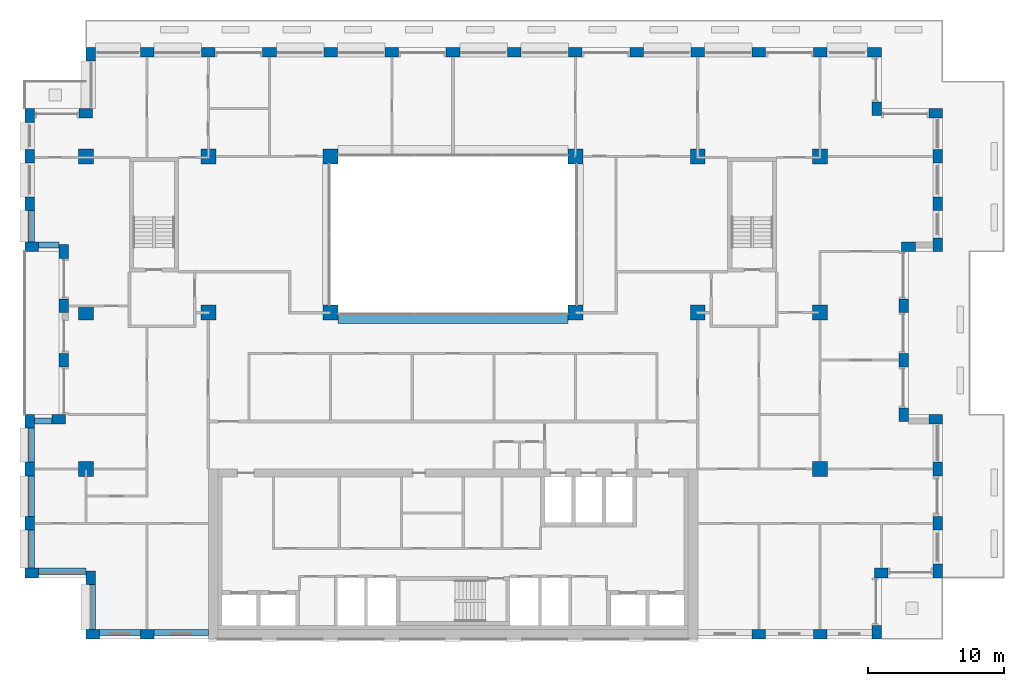
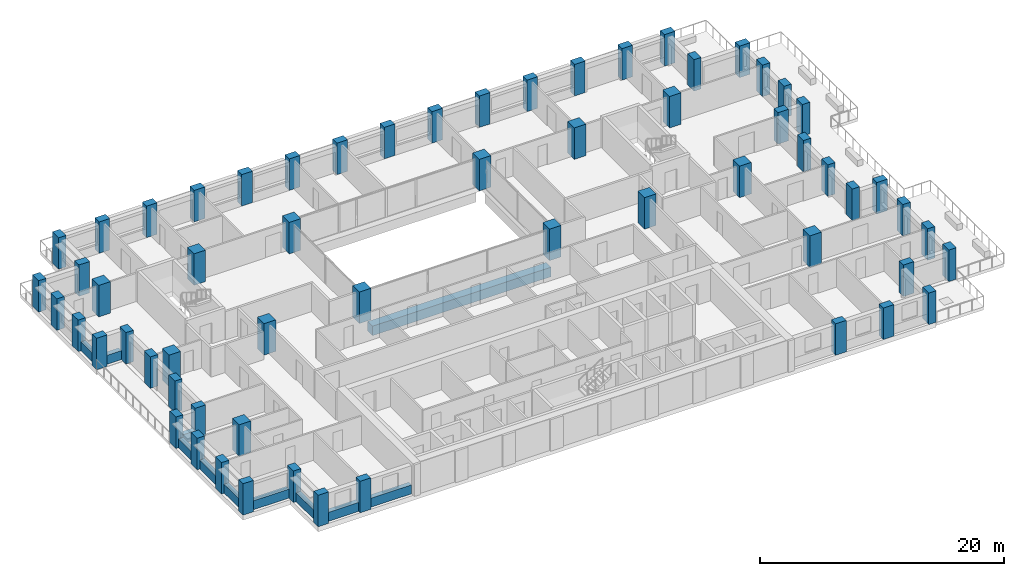
# One storey, part 1 of 17: 61 columns, 11 beams.
"""IFC4 building model written with IfcOpenShell, lengths in metres."""

from ifc_helpers import new_model, si_unit, direction, frame, origin, origin_2d, place, context, subcontext, project, spatial, rectangle, extrude, material, material_profile, profile_set, type_object, element, save


model = new_model("IFC4")

# Units and contexts
model_context = context("Model", 3, precision=1e-05, world=origin(), true_north=direction((0.0, 1.0)))
body_context = subcontext(model_context, "Body", "Model", "MODEL_VIEW")
ifc_project = project(units=[si_unit("LENGTHUNIT", "METRE"), si_unit("AREAUNIT", "SQUARE_METRE"), si_unit("VOLUMEUNIT", "CUBIC_METRE"), si_unit("PLANEANGLEUNIT", "RADIAN"), si_unit("MASSUNIT", "GRAM", prefix="KILO")], contexts=[model_context])

# Site, building, storey
site_placement = place(None, origin())
site = spatial("IfcSite", under=ifc_project, at=site_placement, CompositionType="ELEMENT")
building_placement = place(site_placement, origin())
building = spatial("IfcBuilding", under=site, at=building_placement, Name="Brigalow Station Residences", CompositionType="ELEMENT")
storey_placement = place(building_placement, frame((0.0, 0.0, 141.300048828125)))
storey = spatial("IfcBuildingStorey", under=building, at=storey_placement, Name="L40", CompositionType="ELEMENT", Elevation=141.300048828125)

# Columns
ifc_material_1 = material(Name="Concrete C65", Category="concrete")
ifc_material_profile_1 = material_profile(ifc_material_1, rectangle(XDim=1.10009765625, YDim=1.10009765625, at=origin_2d()), Name="RC1100x1100")
ifc_profile_set_1 = profile_set([ifc_material_profile_1], Name="Concrete C65")
column_type_1 = type_object("IfcColumnType", Name="COLUMN 1100x1100 C65", PredefinedType="COLUMN", material=ifc_profile_set_1)
for number, where, z_axis, x_axis, name in (
    (1, (9.0, 24.0, 0.0), (0.0, 0.0, 1.0), (1.0, 0.0, 0.0), "COLUMN C1 L40"),
    (2, (18.0, 24.0, 0.0), (0.0, 0.0, 1.0), (1.0, 0.0, 0.0), "COLUMN C2 L40"),
    (3, (27.0, 24.0, 0.0), (0.0, 0.0, 1.0), (1.0, 0.0, 0.0), "COLUMN C3 L40"),
    (4, (45.0, 24.0, 0.0), (0.0, 0.0, 1.0), (1.0, 0.0, 0.0), "COLUMN C5 L40"),
    (5, (54.0, 24.0, 0.0), (0.0, 0.0, 1.0), (1.0, 0.0, 0.0), "COLUMN C6 L40"),
    (6, (63.0, 24.0, 0.0), (0.0, 0.0, 1.0), (1.0, 0.0, 0.0), "COLUMN C7 L40"),
    (7, (9.0, 35.5, 0.0), (0.0, 0.0, 1.0), (1.0, 0.0, 0.0), "COLUMN D1 L40"),
    (8, (18.0, 35.5, 0.0), (0.0, 0.0, 1.0), (1.0, 0.0, 0.0), "COLUMN D2 L40"),
    (9, (27.0, 35.5, 0.0), (0.0, 0.0, 1.0), (1.0, 0.0, 0.0), "COLUMN D3 L40"),
    (10, (45.0, 35.5, 0.0), (0.0, 0.0, 1.0), (1.0, 0.0, 0.0), "COLUMN D5 L40"),
    (11, (54.0, 35.5, 0.0), (0.0, 0.0, 1.0), (1.0, 0.0, 0.0), "COLUMN D6 L40"),
    (12, (63.0, 35.5, 0.0), (0.0, 0.0, 1.0), (1.0, 0.0, 0.0), "COLUMN D7 L40"),
    (13, (9.0, 12.5, 0.0), (0.0, 0.0, 1.0), (1.0, 0.0, 0.0), "COLUMN B1 L40"),
    (14, (63.0, 12.5, 0.0), (0.0, 0.0, 1.0), (1.0, 0.0, 0.0), "COLUMN B7 L40"),
):
    element("IfcColumn", number, at=place(storey_placement, frame(where, z_axis=z_axis, x_axis=x_axis)), inside=storey, type_object=column_type_1, Name=name, PredefinedType="COLUMN", context=body_context, shape_type="SweptSolid", body=[
        extrude(rectangle(XDim=1.10009765625, YDim=1.10009765625, at=origin_2d()), origin(), (0.0, 0.0, 1.0), 3.14990234375),
    ])
ifc_material_2 = material(Name="Concrete C65", Category="concrete")
ifc_material_profile_2 = material_profile(ifc_material_2, rectangle(XDim=1.0, YDim=0.699951171875, at=origin_2d()), Name="RC1000x700")
ifc_profile_set_2 = profile_set([ifc_material_profile_2], Name="Concrete C65")
column_type_2 = type_object("IfcColumnType", Name="PIER 1000x700 C65", PredefinedType="USERDEFINED", material=ifc_profile_set_2)
for number, where, z_axis, x_axis, name in (
    (15, (9.5, 0.35009765625, 0.0), (0.0, 0.0, 1.0), (1.0, 0.0, 0.0), "PIER S-1 L40"),
    (16, (13.5, 0.35009765625, 0.0), (0.0, 0.0, 1.0), (1.0, 0.0, 0.0), "PIER S-2 L40"),
    (17, (58.5, 0.35009765625, 0.0), (0.0, 0.0, 1.0), (1.0, 0.0, 0.0), "PIER S-12 L40"),
    (18, (63.0, 0.35009765625, 0.0), (0.0, 0.0, 1.0), (1.0, 0.0, 0.0), "PIER S-13 L40"),
    (19, (67.14990234375, 0.5, 0.0), (0.0, 0.0, 1.0), (0.0, 1.0, 0.0), "PIER SE1-1 L40"),
    (20, (67.5, 4.85009765625, 0.0), (0.0, 0.0, 1.0), (1.0, 0.0, 0.0), "PIER SE2-1 L40"),
    (21, (71.64990234375, 5.0, 0.0), (0.0, 0.0, 1.0), (0.0, 1.0, 0.0), "PIER E1-1 L40"),
    (22, (71.64990234375, 8.5, 0.0), (0.0, 0.0, 1.0), (0.0, 1.0, 0.0), "PIER E1-2 L40"),
    (23, (71.64990234375, 12.5, 0.0), (0.0, 0.0, 1.0), (0.0, 1.0, 0.0), "PIER E1-3 L40"),
    (24, (71.5, 16.14990234375, 0.0), (0.0, 0.0, 1.0), (-1.0, 0.0, 0.0), "PIER EL1-1 L40"),
    (25, (69.14990234375, 16.5, 0.0), (0.0, 0.0, 1.0), (0.0, 1.0, 0.0), "PIER EL2-1 L40"),
    (26, (69.14990234375, 20.5, 0.0), (0.0, 0.0, 1.0), (0.0, 1.0, 0.0), "PIER EL2-2 L40"),
    (27, (69.14990234375, 24.5, 0.0), (0.0, 0.0, 1.0), (0.0, 1.0, 0.0), "PIER EL2-3 L40"),
    (28, (69.5, 28.85009765625, 0.0), (0.0, 0.0, 1.0), (1.0, 0.0, 0.0), "PIER EL3-1 L40"),
    (29, (71.64990234375, 29.0, 0.0), (0.0, 0.0, 1.0), (0.0, 1.0, 0.0), "PIER E2-1 L40"),
    (30, (71.64990234375, 32.0, 0.0), (0.0, 0.0, 1.0), (0.0, 1.0, 0.0), "PIER E2-2 L40"),
    (31, (71.64990234375, 35.5, 0.0), (0.0, 0.0, 1.0), (0.0, 1.0, 0.0), "PIER E2-3 L40"),
    (32, (71.5, 38.64990234375, 0.0), (0.0, 0.0, 1.0), (-1.0, 0.0, 0.0), "PIER NE1-1 L40"),
    (33, (67.14990234375, 39.0, 0.0), (0.0, 0.0, 1.0), (0.0, 1.0, 0.0), "PIER NE2-1 L40"),
    (34, (67.0, 43.14990234375, 0.0), (0.0, 0.0, 1.0), (-1.0, 0.0, 0.0), "PIER N-1 L40"),
    (35, (63.0, 43.14990234375, 0.0), (0.0, 0.0, 1.0), (-1.0, 0.0, 0.0), "PIER N-2 L40"),
    (36, (58.5, 43.14990234375, 0.0), (0.0, 0.0, 1.0), (-1.0, 0.0, 0.0), "PIER N-3 L40"),
    (37, (54.0, 43.14990234375, 0.0), (0.0, 0.0, 1.0), (-1.0, 0.0, 0.0), "PIER N-4 L40"),
    (38, (49.5, 43.14990234375, 0.0), (0.0, 0.0, 1.0), (-1.0, 0.0, 0.0), "PIER N-5 L40"),
    (39, (45.0, 43.14990234375, 0.0), (0.0, 0.0, 1.0), (-1.0, 0.0, 0.0), "PIER N-6 L40"),
    (40, (40.5, 43.14990234375, 0.0), (0.0, 0.0, 1.0), (-1.0, 0.0, 0.0), "PIER N-7 L40"),
    (41, (36.0, 43.14990234375, 0.0), (0.0, 0.0, 1.0), (-1.0, 0.0, 0.0), "PIER N-8 L40"),
    (42, (31.5, 43.14990234375, 0.0), (0.0, 0.0, 1.0), (-1.0, 0.0, 0.0), "PIER N-9 L40"),
    (43, (27.0, 43.14990234375, 0.0), (0.0, 0.0, 1.0), (-1.0, 0.0, 0.0), "PIER N-10 L40"),
    (44, (22.5, 43.14990234375, 0.0), (0.0, 0.0, 1.0), (-1.0, 0.0, 0.0), "PIER N-11 L40"),
    (45, (18.0, 43.14990234375, 0.0), (0.0, 0.0, 1.0), (-1.0, 0.0, 0.0), "PIER N-12 L40"),
    (46, (13.5, 43.14990234375, 0.0), (0.0, 0.0, 1.0), (-1.0, 0.0, 0.0), "PIER N-13 L40"),
    (47, (9.35009765625, 43.0, 0.0), (0.0, 0.0, 1.0), (0.0, -1.0, 0.0), "PIER NW1-1 L40"),
    (48, (9.0, 38.64990234375, 0.0), (0.0, 0.0, 1.0), (-1.0, 0.0, 0.0), "PIER NW2-1 L40"),
    (49, (4.85009765625, 38.5, 0.0), (0.0, 0.0, 1.0), (0.0, -1.0, 0.0), "PIER W2-1 L40"),
    (50, (4.85009765625, 35.5, 0.0), (0.0, 0.0, 1.0), (0.0, -1.0, 0.0), "PIER W2-2 L40"),
    (51, (4.85009765625, 32.0, 0.0), (0.0, 0.0, 1.0), (0.0, -1.0, 0.0), "PIER W2-3 L40"),
    (52, (5.0, 28.85009765625, 0.0), (0.0, 0.0, 1.0), (1.0, 0.0, 0.0), "PIER WL1-1 L40"),
    (53, (7.35009765625, 28.5, 0.0), (0.0, 0.0, 1.0), (0.0, -1.0, 0.0), "PIER WL2-1 L40"),
    (54, (7.35009765625, 24.5, 0.0), (0.0, 0.0, 1.0), (0.0, -1.0, 0.0), "PIER WL2-2 L40"),
    (55, (7.35009765625, 20.5, 0.0), (0.0, 0.0, 1.0), (0.0, -1.0, 0.0), "PIER WL2-3 L40"),
    (56, (7.0, 16.14990234375, 0.0), (0.0, 0.0, 1.0), (-1.0, 0.0, 0.0), "PIER WL3-1 L40"),
    (57, (4.85009765625, 16.0, 0.0), (0.0, 0.0, 1.0), (0.0, -1.0, 0.0), "PIER W1-1 L40"),
    (58, (4.85009765625, 12.5, 0.0), (0.0, 0.0, 1.0), (0.0, -1.0, 0.0), "PIER W1-2 L40"),
    (59, (4.85009765625, 8.5, 0.0), (0.0, 0.0, 1.0), (0.0, -1.0, 0.0), "PIER W1-3 L40"),
    (60, (5.0, 4.85009765625, 0.0), (0.0, 0.0, 1.0), (1.0, 0.0, 0.0), "PIER SW1-1 L40"),
    (61, (9.35009765625, 4.5, 0.0), (0.0, 0.0, 1.0), (0.0, -1.0, 0.0), "PIER SW2-1 L40"),
):
    element("IfcColumn", number, at=place(storey_placement, frame(where, z_axis=z_axis, x_axis=x_axis)), inside=storey, type_object=column_type_2, Name=name, ObjectType="PIER", PredefinedType="USERDEFINED", context=body_context, shape_type="SweptSolid", body=[
        extrude(rectangle(XDim=1.0, YDim=0.699951171875, at=origin_2d()), origin(), (0.0, 0.0, 1.0), 3.14990234375),
    ])

# Beams
ifc_material_3 = material(Name="Concrete C65", Category="concrete")
ifc_material_profile_3 = material_profile(ifc_material_3, rectangle(XDim=0.800048828125, YDim=0.949951171875, at=origin_2d()), Name="RC800x950")
ifc_profile_set_3 = profile_set([ifc_material_profile_3], Name="Concrete C65")
beam_type_1 = type_object("IfcBeamType", Name="ATRIUM EDGE GIRDER OVER 13.5 M SPAN 800x950 C65", PredefinedType="BEAM", material=ifc_profile_set_3)
beam_1_placement = place(storey_placement, frame((27.550048828125, 23.60009765625, -0.97509765625), z_axis=(1.0, 0.0, 0.0), x_axis=(0.0, 1.0, 0.0)))
element("IfcBeam", 62, at=beam_1_placement, inside=storey, type_object=beam_type_1, Name="ATRIUM EDGE GIRDER C L40", PredefinedType="BEAM", context=body_context, shape_type="SweptSolid", body=[
    extrude(rectangle(XDim=0.800048828125, YDim=0.949951171875, at=origin_2d()), origin(), (0.0, 0.0, 1.0), 16.89990234375),
])
ifc_material_4 = material(Name="Concrete C50", Category="concrete")
ifc_material_profile_4 = material_profile(ifc_material_4, rectangle(XDim=0.449951171875, YDim=0.89990234375, at=origin_2d()), Name="RC450x900")
ifc_profile_set_4 = profile_set([ifc_material_profile_4], Name="Concrete C50")
beam_type_2 = type_object("IfcBeamType", Name="SPANDREL BEAM 450x900 C50", PredefinedType="SPANDREL", material=ifc_profile_set_4)
beam_2_placement = place(storey_placement, frame((10.0, 0.47509765625, 0.449951171875), z_axis=(1.0, 0.0, 0.0), x_axis=(0.0, 1.0, 0.0)))
element("IfcBeam", 63, at=beam_2_placement, inside=storey, type_object=beam_type_2, Name="L40/spandrel/W-L40-1", PredefinedType="SPANDREL", context=body_context, shape_type="SweptSolid", body=[
    extrude(rectangle(XDim=0.449951171875, YDim=0.89990234375, at=origin_2d()), origin(), (0.0, 0.0, 1.0), 3.0),
])
beam_3_placement = place(storey_placement, frame((14.0, 0.47509765625, 0.449951171875), z_axis=(1.0, 0.0, 0.0), x_axis=(0.0, 1.0, 0.0)))
element("IfcBeam", 64, at=beam_3_placement, inside=storey, type_object=beam_type_2, Name="L40/spandrel/W-L40-2", PredefinedType="SPANDREL", context=body_context, shape_type="SweptSolid", body=[
    extrude(rectangle(XDim=0.449951171875, YDim=0.89990234375, at=origin_2d()), origin(), (0.0, 0.0, 1.0), 4.0),
])
beam_4_placement = place(storey_placement, frame((4.97509765625, 31.5, 0.449951171875), z_axis=(0.0, -1.0, 0.0), x_axis=(1.0, 0.0, 0.0)))
element("IfcBeam", 65, at=beam_4_placement, inside=storey, type_object=beam_type_2, Name="L40/spandrel/W-L40-39", PredefinedType="SPANDREL", context=body_context, shape_type="SweptSolid", body=[
    extrude(rectangle(XDim=0.449951171875, YDim=0.89990234375, at=origin_2d()), origin(), (0.0, 0.0, 1.0), 2.300048828125),
])
beam_5_placement = place(storey_placement, frame((5.5, 28.97509765625, 0.449951171875), z_axis=(1.0, 0.0, 0.0), x_axis=(0.0, 1.0, 0.0)))
element("IfcBeam", 66, at=beam_5_placement, inside=storey, type_object=beam_type_2, Name="L40/spandrel/W-L40-40", PredefinedType="SPANDREL", context=body_context, shape_type="SweptSolid", body=[
    extrude(rectangle(XDim=0.449951171875, YDim=0.89990234375, at=origin_2d()), origin(), (0.0, 0.0, 1.0), 1.5),
])
beam_6_placement = place(storey_placement, frame((6.5, 16.02490234375, 0.449951171875), z_axis=(-1.0, 0.0, 0.0), x_axis=(0.0, -1.0, 0.0)))
element("IfcBeam", 67, at=beam_6_placement, inside=storey, type_object=beam_type_2, Name="L40/spandrel/W-L40-44", PredefinedType="SPANDREL", context=body_context, shape_type="SweptSolid", body=[
    extrude(rectangle(XDim=0.449951171875, YDim=0.89990234375, at=origin_2d()), origin(), (0.0, 0.0, 1.0), 1.300048828125),
])
beam_7_placement = place(storey_placement, frame((4.97509765625, 15.5, 0.449951171875), z_axis=(0.0, -1.0, 0.0), x_axis=(1.0, 0.0, 0.0)))
element("IfcBeam", 68, at=beam_7_placement, inside=storey, type_object=beam_type_2, Name="L40/spandrel/W-L40-45", PredefinedType="SPANDREL", context=body_context, shape_type="SweptSolid", body=[
    extrude(rectangle(XDim=0.449951171875, YDim=0.89990234375, at=origin_2d()), origin(), (0.0, 0.0, 1.0), 2.5),
])
beam_8_placement = place(storey_placement, frame((4.97509765625, 12.0, 0.449951171875), z_axis=(0.0, -1.0, 0.0), x_axis=(1.0, 0.0, 0.0)))
element("IfcBeam", 69, at=beam_8_placement, inside=storey, type_object=beam_type_2, Name="L40/spandrel/W-L40-46", PredefinedType="SPANDREL", context=body_context, shape_type="SweptSolid", body=[
    extrude(rectangle(XDim=0.449951171875, YDim=0.89990234375, at=origin_2d()), origin(), (0.0, 0.0, 1.0), 3.0),
])
beam_9_placement = place(storey_placement, frame((4.97509765625, 8.0, 0.449951171875), z_axis=(0.0, -1.0, 0.0), x_axis=(1.0, 0.0, 0.0)))
element("IfcBeam", 70, at=beam_9_placement, inside=storey, type_object=beam_type_2, Name="L40/spandrel/W-L40-47", PredefinedType="SPANDREL", context=body_context, shape_type="SweptSolid", body=[
    extrude(rectangle(XDim=0.449951171875, YDim=0.89990234375, at=origin_2d()), origin(), (0.0, 0.0, 1.0), 2.800048828125),
])
beam_10_placement = place(storey_placement, frame((5.5, 4.97509765625, 0.449951171875), z_axis=(1.0, 0.0, 0.0), x_axis=(0.0, 1.0, 0.0)))
element("IfcBeam", 71, at=beam_10_placement, inside=storey, type_object=beam_type_2, Name="L40/spandrel/W-L40-48", PredefinedType="SPANDREL", context=body_context, shape_type="SweptSolid", body=[
    extrude(rectangle(XDim=0.449951171875, YDim=0.89990234375, at=origin_2d()), origin(), (0.0, 0.0, 1.0), 3.5),
])
beam_11_placement = place(storey_placement, frame((9.47509765625, 4.0, 0.449951171875), z_axis=(0.0, -1.0, 0.0), x_axis=(1.0, 0.0, 0.0)))
element("IfcBeam", 72, at=beam_11_placement, inside=storey, type_object=beam_type_2, Name="L40/spandrel/W-L40-49", PredefinedType="SPANDREL", context=body_context, shape_type="SweptSolid", body=[
    extrude(rectangle(XDim=0.449951171875, YDim=0.89990234375, at=origin_2d()), origin(), (0.0, 0.0, 1.0), 3.300048828125),
])

save(model, "model.ifc")
